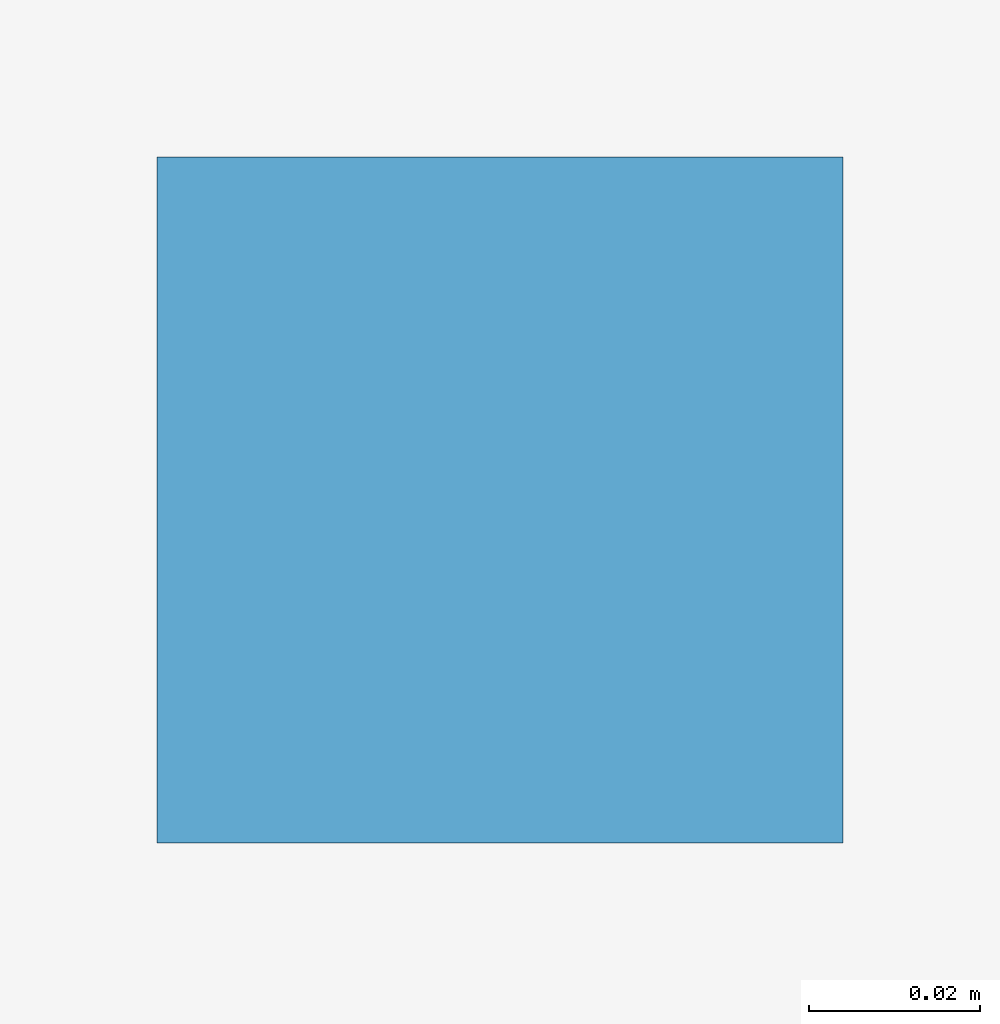
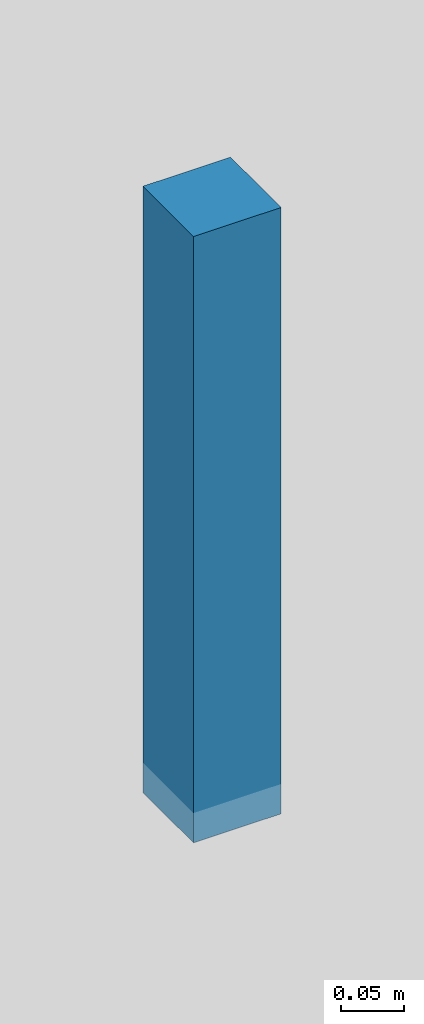
# One storey, part 13 of 18: 1 discrete accessory.
"""IFC4 building model written with IfcOpenShell, lengths in metres."""

from ifc_helpers import new_model, si_unit, direction, frame, origin, origin_2d, place, context, subcontext, project, spatial, rectangle, extrude, source, transform, mapped, material, type_object, element, save


model = new_model("IFC4")

# Units and contexts
model_context = context("Model", 3, precision=1e-05, world=origin(), true_north=direction((0.0, 1.0)))
body_context = subcontext(model_context, "Body", "Model", "MODEL_VIEW")
ifc_project = project(units=[si_unit("LENGTHUNIT", "METRE"), si_unit("AREAUNIT", "SQUARE_METRE"), si_unit("VOLUMEUNIT", "CUBIC_METRE"), si_unit("PLANEANGLEUNIT", "RADIAN"), si_unit("MASSUNIT", "GRAM", prefix="KILO")], contexts=[model_context])

# Site, building, storey
site_placement = place(None, origin())
site = spatial("IfcSite", under=ifc_project, at=site_placement, CompositionType="ELEMENT")
building_placement = place(site_placement, origin())
building = spatial("IfcBuilding", under=site, at=building_placement, Name="Giltprow Tower", CompositionType="ELEMENT")
storey_placement = place(building_placement, frame((0.0, 0.0, 265.5)))
storey = spatial("IfcBuildingStorey", under=building, at=storey_placement, Name="L68", CompositionType="ELEMENT", Elevation=265.5)

# Discrete accessory
ifc_material = material(Name="Structural steel Q355B", Category="steel")
discrete_accessory_type = type_object("IfcDiscreteAccessoryType", Name="ACC-CLG-HANGER", PredefinedType="BRACKET", material=ifc_material)
shared_shape = source(origin(), body_context, "Body", "SweptSolid", [
    extrude(rectangle(XDim=0.080078125, YDim=0.080078125, at=origin_2d()), origin(), (0.0, 0.0, 1.0), 0.5849609375),
])
discrete_accessory_placement = place(storey_placement, frame((35.0, 35.550048828125, 2.62060546875), z_axis=(0.0, 0.0, 1.0), x_axis=(1.0, 0.0, 0.0)))
element("IfcDiscreteAccessory", 1, at=discrete_accessory_placement, inside=storey, type_object=discrete_accessory_type, Name="L68 Residence Gallery Ceiling Suspension Hanger", PredefinedType="BRACKET", context=body_context, shape_type="MappedRepresentation", body=[
    mapped(shared_shape, transform((0.0, 0.0, 0.0), x_axis=(1.0, 0.0, 0.0), y_axis=(0.0, 1.0, 0.0), z_axis=(0.0, 0.0, 1.0), scale=1.0)),
])

save(model, "model.ifc")
